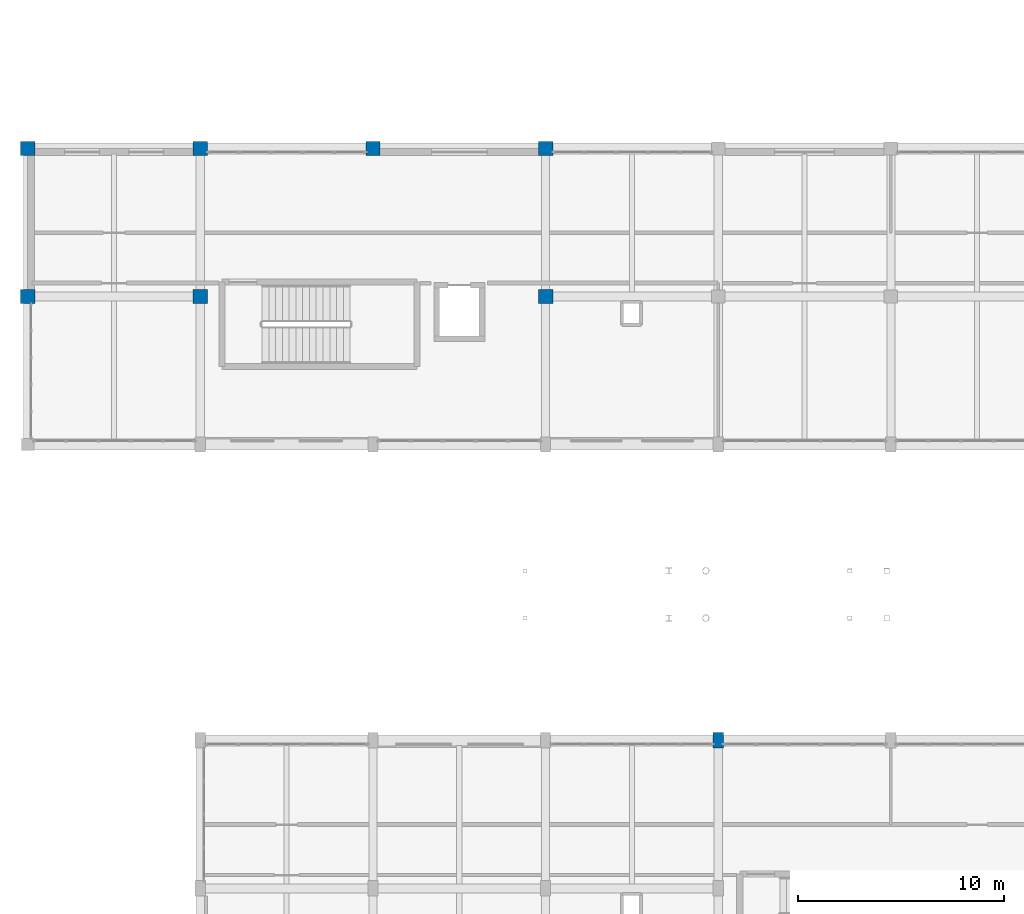
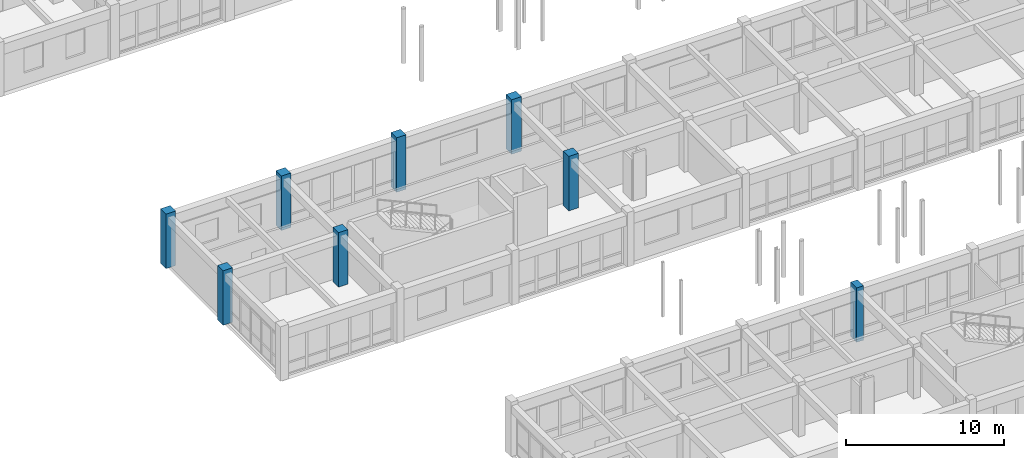
# One storey, part 11 of 147: 8 columns.
"""IFC4 building model written with IfcOpenShell, lengths in metres."""

from ifc_helpers import new_model, si_unit, direction, frame, origin, origin_2d, place, context, subcontext, project, spatial, rectangle, extrude, material, material_profile, profile_set, type_object, element, save


model = new_model("IFC4")

# Units and contexts
model_context = context("Model", 3, precision=1e-05, world=origin(), true_north=direction((0.0, 1.0)))
body_context = subcontext(model_context, "Body", "Model", "MODEL_VIEW")
ifc_project = project(units=[si_unit("LENGTHUNIT", "METRE"), si_unit("AREAUNIT", "SQUARE_METRE"), si_unit("VOLUMEUNIT", "CUBIC_METRE"), si_unit("PLANEANGLEUNIT", "RADIAN"), si_unit("MASSUNIT", "GRAM", prefix="KILO")], contexts=[model_context])

# Site, building, storey
site_placement = place(None, origin())
site = spatial("IfcSite", under=ifc_project, at=site_placement, CompositionType="ELEMENT")
building_placement = place(site_placement, origin())
building = spatial("IfcBuilding", under=site, at=building_placement, Name="Malvenik Polytechnic", CompositionType="ELEMENT")
storey_placement = place(building_placement, frame((0.0, 0.0, 5.10009765625)))
storey = spatial("IfcBuildingStorey", under=building, at=storey_placement, Name="L01", CompositionType="ELEMENT", Elevation=5.10009765625)

# Columns
ifc_material_1 = material(Name="Concrete C40/50", Category="concrete")
ifc_material_profile_1 = material_profile(ifc_material_1, rectangle(XDim=0.699951171875, YDim=0.699951171875, at=origin_2d()), Name="RC COL 700x700")
ifc_profile_set_1 = profile_set([ifc_material_profile_1], Name="Concrete C40/50")
column_type_1 = type_object("IfcColumnType", Name="STR-COL-C-04", PredefinedType="COLUMN", material=ifc_profile_set_1)
for number, where, z_axis, x_axis, name in (
    (1, (0.0, 86.39990234375, 0.0), (0.0, 0.0, 1.0), (1.0, 0.0, 0.0), "Column C-04 L01 (0.0,86.4)"),
    (2, (0.0, 93.60009765625, 0.0), (0.0, 0.0, 1.0), (1.0, 0.0, 0.0), "Column C-04 L01 (0.0,93.6)"),
    (3, (8.39990234375, 86.39990234375, 0.0), (0.0, 0.0, 1.0), (1.0, 0.0, 0.0), "Column C-04 L01 (8.4,86.4)"),
    (4, (8.39990234375, 93.60009765625, 0.0), (0.0, 0.0, 1.0), (1.0, 0.0, 0.0), "Column C-04 L01 (8.4,93.6)"),
    (5, (16.800048828125, 93.60009765625, 0.0), (0.0, 0.0, 1.0), (1.0, 0.0, 0.0), "Column C-04 L01 (16.8,93.6)"),
    (6, (25.199951171875, 86.39990234375, 0.0), (0.0, 0.0, 1.0), (1.0, 0.0, 0.0), "Column C-04 L01 (25.2,86.4)"),
    (7, (25.199951171875, 93.60009765625, 0.0), (0.0, 0.0, 1.0), (1.0, 0.0, 0.0), "Column C-04 L01 (25.2,93.6)"),
):
    element("IfcColumn", number, at=place(storey_placement, frame(where, z_axis=z_axis, x_axis=x_axis)), inside=storey, type_object=column_type_1, Name=name, PredefinedType="COLUMN", context=body_context, shape_type="SweptSolid", body=[
        extrude(rectangle(XDim=0.699951171875, YDim=0.699951171875, at=origin_2d()), origin(), (0.0, 0.0, 1.0), 4.199951171875),
    ])
ifc_material_2 = material(Name="Concrete C35/45", Category="concrete")
ifc_material_profile_2 = material_profile(ifc_material_2, rectangle(XDim=0.5, YDim=0.75, at=origin_2d()), Name="RC COL 750x500")
ifc_profile_set_2 = profile_set([ifc_material_profile_2], Name="Concrete C35/45")
column_type_2 = type_object("IfcColumnType", Name="STR-COL-C-14", PredefinedType="COLUMN", material=ifc_profile_set_2)
column_placement = place(storey_placement, frame((33.60009765625, 64.800048828125, 0.0), z_axis=(0.0, 0.0, 1.0), x_axis=(1.0, 0.0, 0.0)))
element("IfcColumn", 8, at=column_placement, inside=storey, type_object=column_type_2, Name="Column C-14 L01 (33.6,64.8)", PredefinedType="COLUMN", context=body_context, shape_type="SweptSolid", body=[
    extrude(rectangle(XDim=0.5, YDim=0.75, at=origin_2d()), origin(), (0.0, 0.0, 1.0), 4.199951171875),
])

save(model, "model.ifc")
